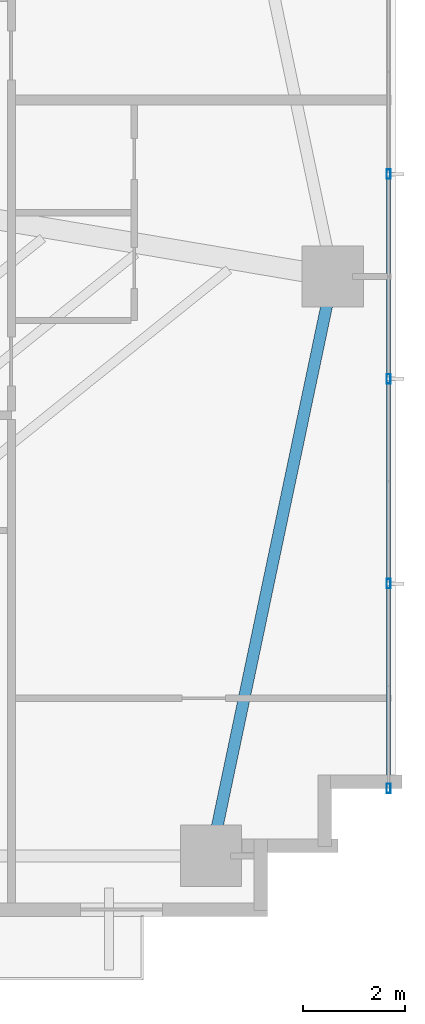
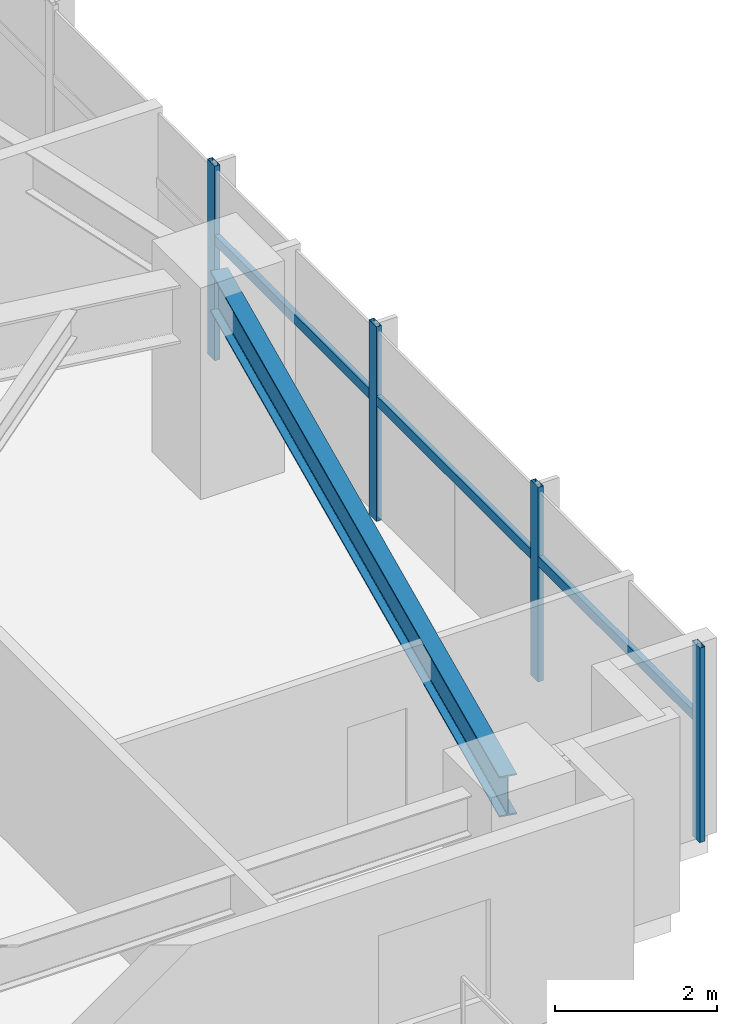
# One storey, part 14 of 25: 7 members, 1 beam, 1 element without a shape of its own.
"""IFC4 building model written with IfcOpenShell, lengths in metres."""

from ifc_helpers import new_model, si_unit, direction, frame, origin, origin_2d, place, context, subcontext, project, spatial, hollow_rectangle, i_section, extrude, source, transform, mapped, material, material_profile, profile_set, type_object, type_shapes, element, aggregate, save


model = new_model("IFC4")

# Units and contexts
model_context = context("Model", 3, precision=1e-05, world=origin(), true_north=direction((0.0, 1.0)))
body_context = subcontext(model_context, "Body", "Model", "MODEL_VIEW")
ifc_project = project(units=[si_unit("LENGTHUNIT", "METRE"), si_unit("AREAUNIT", "SQUARE_METRE"), si_unit("VOLUMEUNIT", "CUBIC_METRE"), si_unit("PLANEANGLEUNIT", "RADIAN"), si_unit("MASSUNIT", "GRAM", prefix="KILO")], contexts=[model_context])

# Site, building, storey
site_placement = place(None, origin())
site = spatial("IfcSite", under=ifc_project, at=site_placement, CompositionType="ELEMENT")
building_placement = place(site_placement, origin())
building = spatial("IfcBuilding", under=site, at=building_placement, Name="Astriad Promenade Condominiums", CompositionType="ELEMENT")
storey_placement = place(building_placement, frame((0.0, 0.0, 61.39990234375)))
storey = spatial("IfcBuildingStorey", under=building, at=storey_placement, Name="L17", CompositionType="ELEMENT", Elevation=61.39990234375)

# Beam
ifc_material_1 = material(Name="Steel ASTM A992 Grade 50", Category="steel")
ifc_material_profile_1 = material_profile(ifc_material_1, i_section(OverallWidth=0.22900390625, OverallDepth=0.612060546875, WebThickness=0.011962890625, FlangeThickness=0.01953125, FilletRadius=0.017822265625, at=origin_2d()), Name="W24X84")
ifc_profile_set_1 = profile_set([ifc_material_profile_1], Name="Steel ASTM A992 Grade 50")
beam_type = type_object("IfcBeamType", Name="STEEL SPANDREL BEAM W24X84", PredefinedType="SPANDREL", material=ifc_profile_set_1)
shared_shape_1 = source(origin(), body_context, "Body", "SweptSolid", [
    extrude(i_section(OverallWidth=0.22900390625, OverallDepth=0.612060546875, WebThickness=0.011962890625, FlangeThickness=0.01953125, FilletRadius=0.017822265625, at=origin_2d()), origin(), (0.0, 0.0, 1.0), 11.487548828125),
])
type_shapes(beam_type, [shared_shape_1])
beam_placement = place(storey_placement, frame((56.208251953125, 3.919189453125, 2.634033203125), z_axis=(0.205748055501, 0.978604995725, 0.0), x_axis=(-0.978604995725, 0.205748055501, 0.0)))
element("IfcBeam", 1, at=beam_placement, inside=storey, type_object=beam_type, Name="Perimeter Spandrel Beam SP-E1-L17", PredefinedType="SPANDREL", context=body_context, shape_type="MappedRepresentation", body=[
    mapped(shared_shape_1, transform((0.0, 0.0, 0.0), scale=1.0)),
])

# Curtain wall, members
ifc_material_2 = material(Name="Anodised aluminium Black Dark Glass Unitised", Category="aluminium")
curtain_wall_type = type_object("IfcCurtainWallType", Name="CW-B1-DARK", PredefinedType="USERDEFINED", material=ifc_material_2)
curtain_wall_placement = place(storey_placement, origin())
curtain_wall = element("IfcCurtainWall", 2, at=curtain_wall_placement, inside=storey, type_object=curtain_wall_type, Name="CW-L17-E", ObjectType="UNITISED_CURTAIN_WALL", PredefinedType="USERDEFINED")
ifc_material_3 = material(Name="Anodised aluminium 6063-T6 Black", Category="aluminium")
ifc_material_profile_2 = material_profile(ifc_material_3, hollow_rectangle(XDim=0.074951171875, YDim=0.14990234375, WallThickness=0.004150390625, at=origin_2d()), Name="ALU-TRN-75X150")
ifc_profile_set_2 = profile_set([ifc_material_profile_2], Name="Anodised aluminium 6063-T6 Black")
member_type_1 = type_object("IfcMemberType", Name="TRN-ALU-TRN-75X150", PredefinedType="USERDEFINED", material=ifc_profile_set_2)
shared_shape_2 = source(origin(), body_context, "Body", "SweptSolid", [
    extrude(hollow_rectangle(XDim=0.074951171875, YDim=0.14990234375, WallThickness=0.004150390625, at=origin_2d()), origin(), (0.0, 0.0, 1.0), 4.0),
])
type_shapes(member_type_1, [shared_shape_2])
member_1_placement = place(storey_placement, frame((59.669921875, 17.199951171875, 1.822998046875), z_axis=(0.0, -1.0, 0.0), x_axis=(1.0, 0.0, 0.0)))
member_1 = element("IfcMember", 3, at=member_1_placement, type_object=member_type_1, Name="CW-L17-E-TRN-02-0", ObjectType="TRANSOM", PredefinedType="USERDEFINED", context=body_context, shape_type="MappedRepresentation", body=[
    mapped(shared_shape_2, transform((0.0, 0.0, 0.0), scale=1.0)),
])
member_2_placement = place(storey_placement, frame((59.669921875, 13.199951171875, 1.822998046875), z_axis=(0.0, -1.0, 0.0), x_axis=(1.0, 0.0, 0.0)))
member_2 = element("IfcMember", 4, at=member_2_placement, type_object=member_type_1, Name="CW-L17-E-TRN-03-0", ObjectType="TRANSOM", PredefinedType="USERDEFINED", context=body_context, shape_type="MappedRepresentation", body=[
    mapped(shared_shape_2, transform((0.0, 0.0, 0.0), scale=1.0)),
])
member_3_placement = place(storey_placement, frame((59.669921875, 9.199951171875, 1.822998046875), z_axis=(0.0, -1.0, 0.0), x_axis=(1.0, 0.0, 0.0)))
member_3 = element("IfcMember", 5, at=member_3_placement, type_object=member_type_1, Name="CW-L17-E-TRN-04-0", ObjectType="TRANSOM", PredefinedType="USERDEFINED", context=body_context, shape_type="MappedRepresentation", body=[
    mapped(shared_shape_2, transform((0.0, 0.0, 0.0), scale=1.0)),
])
ifc_material_profile_3 = material_profile(ifc_material_3, hollow_rectangle(XDim=0.074951171875, YDim=0.18505859375, WallThickness=0.00439453125, at=origin_2d()), Name="ALU-MUL-75X185")
ifc_profile_set_3 = profile_set([ifc_material_profile_3], Name="Anodised aluminium 6063-T6 Black")
member_type_2 = type_object("IfcMemberType", Name="MUL-ALU-MUL-75X185", PredefinedType="MULLION", material=ifc_profile_set_3)
shared_shape_3 = source(origin(), body_context, "Body", "SweptSolid", [
    extrude(hollow_rectangle(XDim=0.074951171875, YDim=0.18505859375, WallThickness=0.00439453125, at=origin_2d()), origin(), (0.0, 0.0, 1.0), 2.940185546875),
])
type_shapes(member_type_2, [shared_shape_3])
member_4_placement = place(storey_placement, frame((59.669921875, 17.199951171875, 0.0), z_axis=(0.0, 0.0, 1.0), x_axis=(1.0, 0.0, 0.0)))
member_4 = element("IfcMember", 6, at=member_4_placement, type_object=member_type_2, Name="CW-L17-E-MUL-02", PredefinedType="MULLION", context=body_context, shape_type="MappedRepresentation", body=[
    mapped(shared_shape_3, transform((0.0, 0.0, 0.0), scale=1.0)),
])
member_5_placement = place(storey_placement, frame((59.669921875, 13.199951171875, 0.0), z_axis=(0.0, 0.0, 1.0), x_axis=(1.0, 0.0, 0.0)))
member_5 = element("IfcMember", 7, at=member_5_placement, type_object=member_type_2, Name="CW-L17-E-MUL-03", PredefinedType="MULLION", context=body_context, shape_type="MappedRepresentation", body=[
    mapped(shared_shape_3, transform((0.0, 0.0, 0.0), scale=1.0)),
])
member_6_placement = place(storey_placement, frame((59.669921875, 9.199951171875, 0.0), z_axis=(0.0, 0.0, 1.0), x_axis=(1.0, 0.0, 0.0)))
member_6 = element("IfcMember", 8, at=member_6_placement, type_object=member_type_2, Name="CW-L17-E-MUL-04", PredefinedType="MULLION", context=body_context, shape_type="MappedRepresentation", body=[
    mapped(shared_shape_3, transform((0.0, 0.0, 0.0), scale=1.0)),
])
member_7_placement = place(storey_placement, frame((59.669921875, 5.199951171875, 0.0), z_axis=(0.0, 0.0, 1.0), x_axis=(1.0, 0.0, 0.0)))
member_7 = element("IfcMember", 9, at=member_7_placement, type_object=member_type_2, Name="CW-L17-E-MUL-05", PredefinedType="MULLION", context=body_context, shape_type="MappedRepresentation", body=[
    mapped(shared_shape_3, transform((0.0, 0.0, 0.0), scale=1.0)),
])
aggregate(curtain_wall, [member_4, member_5, member_6, member_7, member_1, member_2, member_3])

save(model, "model.ifc")
